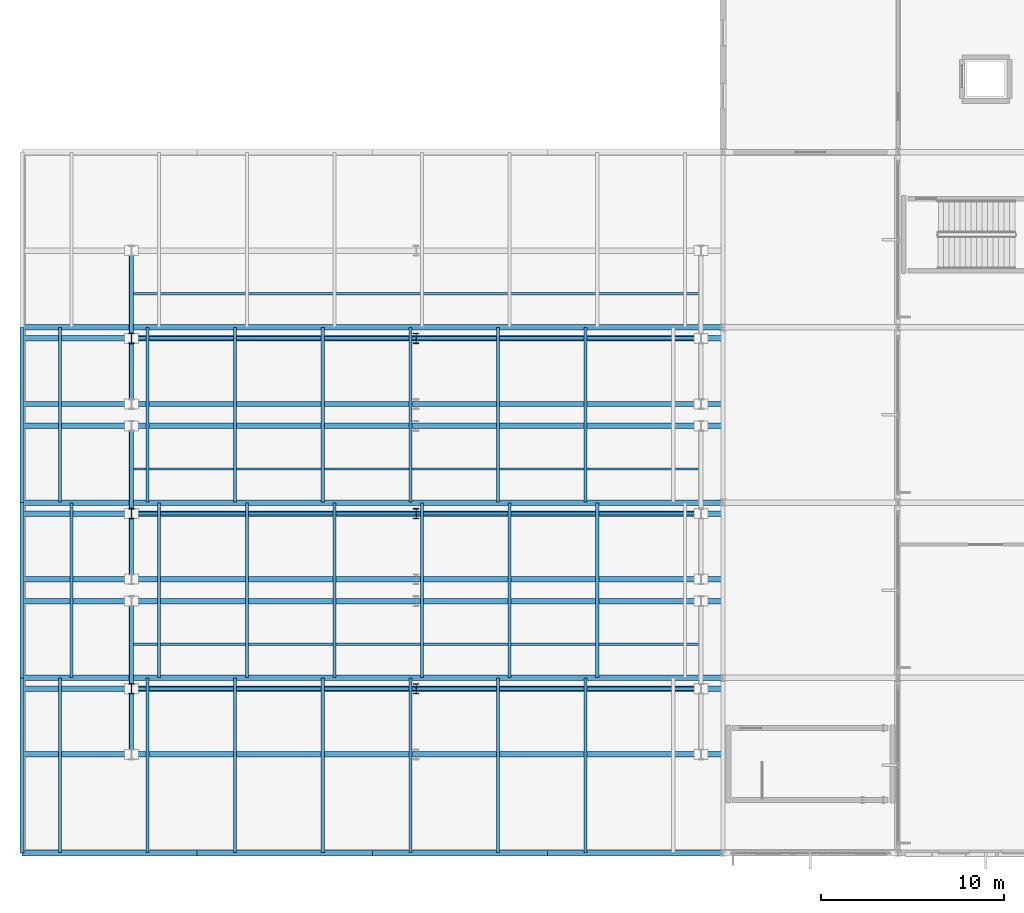
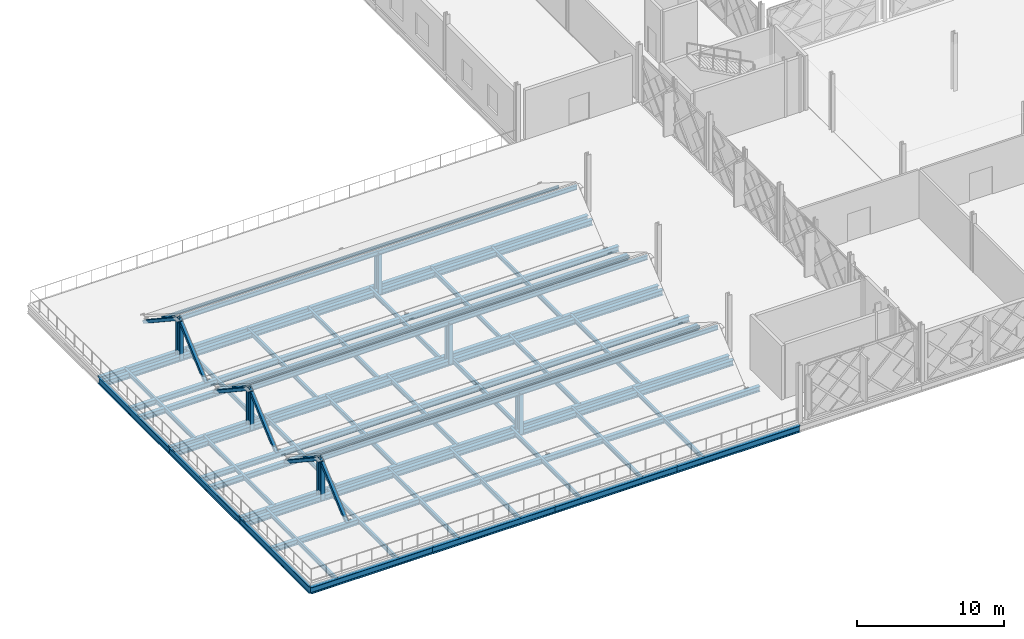
# One storey, part 18 of 77: 45 beams, 12 members.
"""IFC4 building model written with IfcOpenShell, lengths in metres."""

from ifc_helpers import new_model, si_unit, direction, frame, origin, origin_2d, place, context, subcontext, project, spatial, hollow_rectangle, i_section, extrude, material, material_profile, profile_set, type_object, element, save


model = new_model("IFC4")

# Units and contexts
model_context = context("Model", 3, precision=1e-05, world=origin(), true_north=direction((0.0, 1.0)))
body_context = subcontext(model_context, "Body", "Model", "MODEL_VIEW")
ifc_project = project(units=[si_unit("LENGTHUNIT", "METRE"), si_unit("AREAUNIT", "SQUARE_METRE"), si_unit("VOLUMEUNIT", "CUBIC_METRE"), si_unit("PLANEANGLEUNIT", "RADIAN"), si_unit("MASSUNIT", "GRAM", prefix="KILO")], contexts=[model_context])

# Site, building, storey
site_placement = place(None, origin())
site = spatial("IfcSite", under=ifc_project, at=site_placement, CompositionType="ELEMENT")
building_placement = place(site_placement, origin())
building = spatial("IfcBuilding", under=site, at=building_placement, Name="Zevrakil Square Congress Hotel", CompositionType="ELEMENT")
storey_placement = place(building_placement, frame((0.0, 0.0, 9.89990234375)))
storey = spatial("IfcBuildingStorey", under=building, at=storey_placement, Name="L03", CompositionType="ELEMENT", Elevation=9.89990234375)

# Beams
ifc_material_1 = material(Name="Steel S355", Category="steel")
ifc_material_profile_1 = material_profile(ifc_material_1, i_section(OverallWidth=0.300048828125, OverallDepth=0.43994140625, WebThickness=0.011474609375, FlangeThickness=0.02099609375, FilletRadius=0.027099609375, at=origin_2d()), Name="HEA 450")
ifc_profile_set_1 = profile_set([ifc_material_profile_1], Name="Steel S355")
beam_type_1 = type_object("IfcBeamType", Name="BM-HEA450", PredefinedType="BEAM", material=ifc_profile_set_1)
for number, where, z_axis, x_axis, name in (
    (1, (7.199951171875, 12.60009765625, -0.469970703125), (1.0, 0.0, 0.0), (0.0, 1.0, 0.0), "Ballroom sawtooth roof support girder BSE-01"),
    (2, (7.199951171875, 21.0, -0.469970703125), (1.0, 0.0, 0.0), (0.0, 1.0, 0.0), "Ballroom sawtooth roof support girder BSE-02"),
    (3, (7.199951171875, 16.199951171875, -0.469970703125), (1.0, 0.0, 0.0), (0.0, 1.0, 0.0), "Ballroom sawtooth roof support girder BSE-03"),
    (4, (7.199951171875, 22.199951171875, -0.469970703125), (1.0, 0.0, 0.0), (0.0, 1.0, 0.0), "Ballroom sawtooth roof support girder BSE-04"),
    (5, (7.199951171875, 30.60009765625, -0.469970703125), (1.0, 0.0, 0.0), (0.0, 1.0, 0.0), "Ballroom sawtooth roof support girder BSE-05"),
    (6, (7.199951171875, 25.800048828125, -0.469970703125), (1.0, 0.0, 0.0), (0.0, 1.0, 0.0), "Ballroom sawtooth roof support girder BSE-06"),
    (7, (7.199951171875, 31.800048828125, -0.469970703125), (1.0, 0.0, 0.0), (0.0, 1.0, 0.0), "Ballroom sawtooth roof support girder BSE-07"),
    (8, (7.199951171875, 35.39990234375, -0.469970703125), (1.0, 0.0, 0.0), (0.0, 1.0, 0.0), "Ballroom sawtooth roof support girder BSE-09"),
):
    element("IfcBeam", number, at=place(storey_placement, frame(where, z_axis=z_axis, x_axis=x_axis)), inside=storey, type_object=beam_type_1, Name=name, PredefinedType="BEAM", context=body_context, shape_type="SweptSolid", body=[
        extrude(i_section(OverallWidth=0.300048828125, OverallDepth=0.43994140625, WebThickness=0.011474609375, FlangeThickness=0.02099609375, FilletRadius=0.027099609375, at=origin_2d()), origin(), (0.0, 0.0, 1.0), 38.400146484375),
    ])
ifc_material_2 = material(Name="Steel S355", Category="steel")
ifc_material_profile_2 = material_profile(ifc_material_2, i_section(OverallWidth=0.300048828125, OverallDepth=0.5400390625, WebThickness=0.012451171875, FlangeThickness=0.02392578125, FilletRadius=0.027099609375, at=origin_2d()), Name="HEA 550")
ifc_profile_set_2 = profile_set([ifc_material_profile_2], Name="Steel S355")
beam_type_2 = type_object("IfcBeamType", Name="BM-HEA550", PredefinedType="BEAM", material=ifc_profile_set_2)
beam_1_placement = place(storey_placement, frame((7.199951171875, 7.199951171875, -0.52978515625), z_axis=(1.0, 0.0, 0.0), x_axis=(0.0, 1.0, 0.0)))
element("IfcBeam", 9, at=beam_1_placement, inside=storey, type_object=beam_type_2, Name="L03 primary girder BX-0968", PredefinedType="BEAM", context=body_context, shape_type="SweptSolid", body=[
    extrude(i_section(OverallWidth=0.300048828125, OverallDepth=0.5400390625, WebThickness=0.012451171875, FlangeThickness=0.02392578125, FilletRadius=0.027099609375, at=origin_2d()), origin(), (0.0, 0.0, 1.0), 9.60009765625),
])
beam_2_placement = place(storey_placement, frame((16.800048828125, 7.199951171875, -0.52978515625), z_axis=(1.0, 0.0, 0.0), x_axis=(0.0, 1.0, 0.0)))
element("IfcBeam", 10, at=beam_2_placement, inside=storey, type_object=beam_type_2, Name="L03 primary girder BX-0969", PredefinedType="BEAM", context=body_context, shape_type="SweptSolid", body=[
    extrude(i_section(OverallWidth=0.300048828125, OverallDepth=0.5400390625, WebThickness=0.012451171875, FlangeThickness=0.02392578125, FilletRadius=0.027099609375, at=origin_2d()), origin(), (0.0, 0.0, 1.0), 9.599853515625),
])
for number, where, z_axis, x_axis, name in (
    (11, (26.39990234375, 7.199951171875, -0.52978515625), (1.0, 0.0, 0.0), (0.0, 1.0, 0.0), "L03 primary girder BX-0970"),
    (12, (36.0, 7.199951171875, -0.52978515625), (1.0, 0.0, 0.0), (0.0, 1.0, 0.0), "L03 primary girder BX-0971"),
):
    element("IfcBeam", number, at=place(storey_placement, frame(where, z_axis=z_axis, x_axis=x_axis)), inside=storey, type_object=beam_type_2, Name=name, PredefinedType="BEAM", context=body_context, shape_type="SweptSolid", body=[
        extrude(i_section(OverallWidth=0.300048828125, OverallDepth=0.5400390625, WebThickness=0.012451171875, FlangeThickness=0.02392578125, FilletRadius=0.027099609375, at=origin_2d()), origin(), (0.0, 0.0, 1.0), 9.60009765625),
    ])
ifc_material_3 = material(Name="Steel S355", Category="steel")
ifc_material_profile_3 = material_profile(ifc_material_3, i_section(OverallWidth=0.300048828125, OverallDepth=0.64990234375, WebThickness=0.01611328125, FlangeThickness=0.031005859375, FilletRadius=0.027099609375, at=origin_2d()), Name="HEB 650")
ifc_profile_set_3 = profile_set([ifc_material_profile_3], Name="Steel S355")
beam_type_3 = type_object("IfcBeamType", Name="BM-HEB650", PredefinedType="BEAM", material=ifc_profile_set_3)
for number, where, z_axis, x_axis, name in (
    (13, (7.199951171875, 16.800048828125, -0.574951171875), (1.0, 0.0, 0.0), (0.0, 1.0, 0.0), "Ballroom Pratt truss top chord BTC-01"),
    (14, (7.199951171875, 26.39990234375, -0.574951171875), (1.0, 0.0, 0.0), (0.0, 1.0, 0.0), "Ballroom Pratt truss top chord BTC-02"),
    (15, (7.199951171875, 36.0, -0.574951171875), (1.0, 0.0, 0.0), (0.0, 1.0, 0.0), "Ballroom Pratt truss top chord BTC-03"),
):
    element("IfcBeam", number, at=place(storey_placement, frame(where, z_axis=z_axis, x_axis=x_axis)), inside=storey, type_object=beam_type_3, Name=name, PredefinedType="BEAM", context=body_context, shape_type="SweptSolid", body=[
        extrude(i_section(OverallWidth=0.300048828125, OverallDepth=0.64990234375, WebThickness=0.01611328125, FlangeThickness=0.031005859375, FilletRadius=0.027099609375, at=origin_2d()), origin(), (0.0, 0.0, 1.0), 38.400146484375),
    ])
ifc_material_4 = material(Name="Steel S355", Category="steel")
ifc_material_profile_4 = material_profile(ifc_material_4, i_section(OverallWidth=0.2099609375, OverallDepth=0.550048828125, WebThickness=0.010986328125, FlangeThickness=0.01708984375, FilletRadius=0.02392578125, at=origin_2d()), Name="IPE 550")
ifc_profile_set_4 = profile_set([ifc_material_profile_4], Name="Steel S355")
beam_type_4 = type_object("IfcBeamType", Name="BM-IPE550", PredefinedType="BEAM", material=ifc_profile_set_4)
beam_3_placement = place(storey_placement, frame((7.199951171875, 7.199951171875, -0.534912109375), z_axis=(0.0, 1.0, 0.0), x_axis=(-1.0, 0.0, 0.0)))
element("IfcBeam", 16, at=beam_3_placement, inside=storey, type_object=beam_type_4, Name="L03 primary girder BY-1085", PredefinedType="BEAM", context=body_context, shape_type="SweptSolid", body=[
    extrude(i_section(OverallWidth=0.2099609375, OverallDepth=0.550048828125, WebThickness=0.010986328125, FlangeThickness=0.01708984375, FilletRadius=0.02392578125, at=origin_2d()), origin(), (0.0, 0.0, 1.0), 9.60009765625),
])
beam_4_placement = place(storey_placement, frame((7.199951171875, 16.800048828125, -0.534912109375), z_axis=(0.0, 1.0, 0.0), x_axis=(-1.0, 0.0, 0.0)))
element("IfcBeam", 17, at=beam_4_placement, inside=storey, type_object=beam_type_4, Name="L03 primary girder BY-1086", PredefinedType="BEAM", context=body_context, shape_type="SweptSolid", body=[
    extrude(i_section(OverallWidth=0.2099609375, OverallDepth=0.550048828125, WebThickness=0.010986328125, FlangeThickness=0.01708984375, FilletRadius=0.02392578125, at=origin_2d()), origin(), (0.0, 0.0, 1.0), 9.599853515625),
])
beam_5_placement = place(storey_placement, frame((7.199951171875, 26.39990234375, -0.534912109375), z_axis=(0.0, 1.0, 0.0), x_axis=(-1.0, 0.0, 0.0)))
element("IfcBeam", 18, at=beam_5_placement, inside=storey, type_object=beam_type_4, Name="L03 primary girder BY-1087", PredefinedType="BEAM", context=body_context, shape_type="SweptSolid", body=[
    extrude(i_section(OverallWidth=0.2099609375, OverallDepth=0.550048828125, WebThickness=0.010986328125, FlangeThickness=0.01708984375, FilletRadius=0.02392578125, at=origin_2d()), origin(), (0.0, 0.0, 1.0), 9.60009765625),
])
ifc_material_5 = material(Name="Steel S355", Category="steel")
ifc_material_profile_5 = material_profile(ifc_material_5, i_section(OverallWidth=0.1201171875, OverallDepth=0.239990234375, WebThickness=0.006103515625, FlangeThickness=0.009765625, FilletRadius=0.014892578125, at=origin_2d()), Name="IPE 240")
ifc_profile_set_5 = profile_set([ifc_material_profile_5], Name="Steel S355")
beam_type_5 = type_object("IfcBeamType", Name="JST-IPE240", PredefinedType="JOIST", material=ifc_profile_set_5)
for number, where, z_axis, x_axis, name in (
    (19, (13.199951171875, 18.639892578125, 1.360107421875), (1.0, 0.0, 0.0), (0.0, 1.0, 0.0), "Ballroom sawtooth mid-slope purlin BMP-16"),
    (20, (13.199951171875, 28.239990234375, 1.360107421875), (1.0, 0.0, 0.0), (0.0, 1.0, 0.0), "Ballroom sawtooth mid-slope purlin BMP-25"),
    (21, (13.199951171875, 37.840087890625, 1.360107421875), (1.0, 0.0, 0.0), (0.0, 1.0, 0.0), "Ballroom sawtooth mid-slope purlin BMP-35"),
):
    element("IfcBeam", number, at=place(storey_placement, frame(where, z_axis=z_axis, x_axis=x_axis)), inside=storey, type_object=beam_type_5, Name=name, PredefinedType="JOIST", context=body_context, shape_type="SweptSolid", body=[
        extrude(i_section(OverallWidth=0.1201171875, OverallDepth=0.239990234375, WebThickness=0.006103515625, FlangeThickness=0.009765625, FilletRadius=0.014892578125, at=origin_2d()), origin(), (0.0, 0.0, 1.0), 31.199951171875),
    ])
ifc_material_6 = material(Name="Steel S355", Category="steel")
ifc_material_profile_6 = material_profile(ifc_material_6, i_section(OverallWidth=0.169921875, OverallDepth=0.360107421875, WebThickness=0.008056640625, FlangeThickness=0.0126953125, FilletRadius=0.01806640625, at=origin_2d()), Name="IPE 360")
ifc_profile_set_6 = profile_set([ifc_material_profile_6], Name="Steel S355")
beam_type_6 = type_object("IfcBeamType", Name="JST-IPE360", PredefinedType="JOIST", material=ifc_profile_set_6)
beam_6_placement = place(storey_placement, frame((9.280029296875, 7.219970703125, -0.429931640625), z_axis=(0.0, 1.0, 0.0), x_axis=(-1.0, 0.0, 0.0)))
element("IfcBeam", 22, at=beam_6_placement, inside=storey, type_object=beam_type_6, Name="Ballroom roof garden secondary beam BPR-10", PredefinedType="JOIST", context=body_context, shape_type="SweptSolid", body=[
    extrude(i_section(OverallWidth=0.169921875, OverallDepth=0.360107421875, WebThickness=0.008056640625, FlangeThickness=0.0126953125, FilletRadius=0.01806640625, at=origin_2d()), origin(), (0.0, 0.0, 1.0), 9.56005859375),
])
beam_7_placement = place(storey_placement, frame((9.919921875, 16.820068359375, -0.429931640625), z_axis=(0.0, 1.0, 0.0), x_axis=(-1.0, 0.0, 0.0)))
element("IfcBeam", 23, at=beam_7_placement, inside=storey, type_object=beam_type_6, Name="Ballroom roof garden secondary beam BPR-10", PredefinedType="JOIST", context=body_context, shape_type="SweptSolid", body=[
    extrude(i_section(OverallWidth=0.169921875, OverallDepth=0.360107421875, WebThickness=0.008056640625, FlangeThickness=0.0126953125, FilletRadius=0.01806640625, at=origin_2d()), origin(), (0.0, 0.0, 1.0), 9.559814453125),
])
beam_8_placement = place(storey_placement, frame((14.080078125, 7.219970703125, -0.429931640625), z_axis=(0.0, 1.0, 0.0), x_axis=(-1.0, 0.0, 0.0)))
element("IfcBeam", 24, at=beam_8_placement, inside=storey, type_object=beam_type_6, Name="Ballroom roof garden secondary beam BPR-11", PredefinedType="JOIST", context=body_context, shape_type="SweptSolid", body=[
    extrude(i_section(OverallWidth=0.169921875, OverallDepth=0.360107421875, WebThickness=0.008056640625, FlangeThickness=0.0126953125, FilletRadius=0.01806640625, at=origin_2d()), origin(), (0.0, 0.0, 1.0), 9.56005859375),
])
beam_9_placement = place(storey_placement, frame((14.719970703125, 16.820068359375, -0.429931640625), z_axis=(0.0, 1.0, 0.0), x_axis=(-1.0, 0.0, 0.0)))
element("IfcBeam", 25, at=beam_9_placement, inside=storey, type_object=beam_type_6, Name="Ballroom roof garden secondary beam BPR-11", PredefinedType="JOIST", context=body_context, shape_type="SweptSolid", body=[
    extrude(i_section(OverallWidth=0.169921875, OverallDepth=0.360107421875, WebThickness=0.008056640625, FlangeThickness=0.0126953125, FilletRadius=0.01806640625, at=origin_2d()), origin(), (0.0, 0.0, 1.0), 9.559814453125),
])
beam_10_placement = place(storey_placement, frame((18.8798828125, 7.219970703125, -0.429931640625), z_axis=(0.0, 1.0, 0.0), x_axis=(-1.0, 0.0, 0.0)))
element("IfcBeam", 26, at=beam_10_placement, inside=storey, type_object=beam_type_6, Name="Ballroom roof garden secondary beam BPR-12", PredefinedType="JOIST", context=body_context, shape_type="SweptSolid", body=[
    extrude(i_section(OverallWidth=0.169921875, OverallDepth=0.360107421875, WebThickness=0.008056640625, FlangeThickness=0.0126953125, FilletRadius=0.01806640625, at=origin_2d()), origin(), (0.0, 0.0, 1.0), 9.56005859375),
])
beam_11_placement = place(storey_placement, frame((19.52001953125, 16.820068359375, -0.429931640625), z_axis=(0.0, 1.0, 0.0), x_axis=(-1.0, 0.0, 0.0)))
element("IfcBeam", 27, at=beam_11_placement, inside=storey, type_object=beam_type_6, Name="Ballroom roof garden secondary beam BPR-12", PredefinedType="JOIST", context=body_context, shape_type="SweptSolid", body=[
    extrude(i_section(OverallWidth=0.169921875, OverallDepth=0.360107421875, WebThickness=0.008056640625, FlangeThickness=0.0126953125, FilletRadius=0.01806640625, at=origin_2d()), origin(), (0.0, 0.0, 1.0), 9.559814453125),
])
beam_12_placement = place(storey_placement, frame((23.679931640625, 7.219970703125, -0.429931640625), z_axis=(0.0, 1.0, 0.0), x_axis=(-1.0, 0.0, 0.0)))
element("IfcBeam", 28, at=beam_12_placement, inside=storey, type_object=beam_type_6, Name="Ballroom roof garden secondary beam BPR-13", PredefinedType="JOIST", context=body_context, shape_type="SweptSolid", body=[
    extrude(i_section(OverallWidth=0.169921875, OverallDepth=0.360107421875, WebThickness=0.008056640625, FlangeThickness=0.0126953125, FilletRadius=0.01806640625, at=origin_2d()), origin(), (0.0, 0.0, 1.0), 9.56005859375),
])
beam_13_placement = place(storey_placement, frame((24.320068359375, 16.820068359375, -0.429931640625), z_axis=(0.0, 1.0, 0.0), x_axis=(-1.0, 0.0, 0.0)))
element("IfcBeam", 29, at=beam_13_placement, inside=storey, type_object=beam_type_6, Name="Ballroom roof garden secondary beam BPR-13", PredefinedType="JOIST", context=body_context, shape_type="SweptSolid", body=[
    extrude(i_section(OverallWidth=0.169921875, OverallDepth=0.360107421875, WebThickness=0.008056640625, FlangeThickness=0.0126953125, FilletRadius=0.01806640625, at=origin_2d()), origin(), (0.0, 0.0, 1.0), 9.559814453125),
])
beam_14_placement = place(storey_placement, frame((28.47998046875, 7.219970703125, -0.429931640625), z_axis=(0.0, 1.0, 0.0), x_axis=(-1.0, 0.0, 0.0)))
element("IfcBeam", 30, at=beam_14_placement, inside=storey, type_object=beam_type_6, Name="Ballroom roof garden secondary beam BPR-14", PredefinedType="JOIST", context=body_context, shape_type="SweptSolid", body=[
    extrude(i_section(OverallWidth=0.169921875, OverallDepth=0.360107421875, WebThickness=0.008056640625, FlangeThickness=0.0126953125, FilletRadius=0.01806640625, at=origin_2d()), origin(), (0.0, 0.0, 1.0), 9.56005859375),
])
beam_15_placement = place(storey_placement, frame((29.1201171875, 16.820068359375, -0.429931640625), z_axis=(0.0, 1.0, 0.0), x_axis=(-1.0, 0.0, 0.0)))
element("IfcBeam", 31, at=beam_15_placement, inside=storey, type_object=beam_type_6, Name="Ballroom roof garden secondary beam BPR-14", PredefinedType="JOIST", context=body_context, shape_type="SweptSolid", body=[
    extrude(i_section(OverallWidth=0.169921875, OverallDepth=0.360107421875, WebThickness=0.008056640625, FlangeThickness=0.0126953125, FilletRadius=0.01806640625, at=origin_2d()), origin(), (0.0, 0.0, 1.0), 9.559814453125),
])
beam_16_placement = place(storey_placement, frame((33.280029296875, 7.219970703125, -0.429931640625), z_axis=(0.0, 1.0, 0.0), x_axis=(-1.0, 0.0, 0.0)))
element("IfcBeam", 32, at=beam_16_placement, inside=storey, type_object=beam_type_6, Name="Ballroom roof garden secondary beam BPR-15", PredefinedType="JOIST", context=body_context, shape_type="SweptSolid", body=[
    extrude(i_section(OverallWidth=0.169921875, OverallDepth=0.360107421875, WebThickness=0.008056640625, FlangeThickness=0.0126953125, FilletRadius=0.01806640625, at=origin_2d()), origin(), (0.0, 0.0, 1.0), 9.56005859375),
])
beam_17_placement = place(storey_placement, frame((33.919921875, 16.820068359375, -0.429931640625), z_axis=(0.0, 1.0, 0.0), x_axis=(-1.0, 0.0, 0.0)))
element("IfcBeam", 33, at=beam_17_placement, inside=storey, type_object=beam_type_6, Name="Ballroom roof garden secondary beam BPR-15", PredefinedType="JOIST", context=body_context, shape_type="SweptSolid", body=[
    extrude(i_section(OverallWidth=0.169921875, OverallDepth=0.360107421875, WebThickness=0.008056640625, FlangeThickness=0.0126953125, FilletRadius=0.01806640625, at=origin_2d()), origin(), (0.0, 0.0, 1.0), 9.559814453125),
])
beam_18_placement = place(storey_placement, frame((38.080078125, 7.219970703125, -0.429931640625), z_axis=(0.0, 1.0, 0.0), x_axis=(-1.0, 0.0, 0.0)))
element("IfcBeam", 34, at=beam_18_placement, inside=storey, type_object=beam_type_6, Name="Ballroom roof garden secondary beam BPR-16", PredefinedType="JOIST", context=body_context, shape_type="SweptSolid", body=[
    extrude(i_section(OverallWidth=0.169921875, OverallDepth=0.360107421875, WebThickness=0.008056640625, FlangeThickness=0.0126953125, FilletRadius=0.01806640625, at=origin_2d()), origin(), (0.0, 0.0, 1.0), 9.56005859375),
])
beam_19_placement = place(storey_placement, frame((38.719970703125, 16.820068359375, -0.429931640625), z_axis=(0.0, 1.0, 0.0), x_axis=(-1.0, 0.0, 0.0)))
element("IfcBeam", 35, at=beam_19_placement, inside=storey, type_object=beam_type_6, Name="Ballroom roof garden secondary beam BPR-16", PredefinedType="JOIST", context=body_context, shape_type="SweptSolid", body=[
    extrude(i_section(OverallWidth=0.169921875, OverallDepth=0.360107421875, WebThickness=0.008056640625, FlangeThickness=0.0126953125, FilletRadius=0.01806640625, at=origin_2d()), origin(), (0.0, 0.0, 1.0), 9.559814453125),
])
for number, where, z_axis, x_axis, name in (
    (36, (9.280029296875, 26.419921875, -0.429931640625), (0.0, 1.0, 0.0), (-1.0, 0.0, 0.0), "Ballroom roof garden secondary beam BPR-30"),
    (37, (14.080078125, 26.419921875, -0.429931640625), (0.0, 1.0, 0.0), (-1.0, 0.0, 0.0), "Ballroom roof garden secondary beam BPR-31"),
    (38, (18.8798828125, 26.419921875, -0.429931640625), (0.0, 1.0, 0.0), (-1.0, 0.0, 0.0), "Ballroom roof garden secondary beam BPR-32"),
    (39, (23.679931640625, 26.419921875, -0.429931640625), (0.0, 1.0, 0.0), (-1.0, 0.0, 0.0), "Ballroom roof garden secondary beam BPR-33"),
    (40, (28.47998046875, 26.419921875, -0.429931640625), (0.0, 1.0, 0.0), (-1.0, 0.0, 0.0), "Ballroom roof garden secondary beam BPR-34"),
    (41, (33.280029296875, 26.419921875, -0.429931640625), (0.0, 1.0, 0.0), (-1.0, 0.0, 0.0), "Ballroom roof garden secondary beam BPR-35"),
    (42, (38.080078125, 26.419921875, -0.429931640625), (0.0, 1.0, 0.0), (-1.0, 0.0, 0.0), "Ballroom roof garden secondary beam BPR-36"),
):
    element("IfcBeam", number, at=place(storey_placement, frame(where, z_axis=z_axis, x_axis=x_axis)), inside=storey, type_object=beam_type_6, Name=name, PredefinedType="JOIST", context=body_context, shape_type="SweptSolid", body=[
        extrude(i_section(OverallWidth=0.169921875, OverallDepth=0.360107421875, WebThickness=0.008056640625, FlangeThickness=0.0126953125, FilletRadius=0.01806640625, at=origin_2d()), origin(), (0.0, 0.0, 1.0), 9.56005859375),
    ])
for number, where, z_axis, x_axis, name in (
    (43, (13.199951171875, 16.199951171875, 2.820068359375), (1.0, 0.0, 0.0), (0.0, 1.0, 0.0), "Ballroom sawtooth ridge beam BRG-16"),
    (44, (13.199951171875, 25.800048828125, 2.820068359375), (1.0, 0.0, 0.0), (0.0, 1.0, 0.0), "Ballroom sawtooth ridge beam BRG-25"),
    (45, (13.199951171875, 35.39990234375, 2.820068359375), (1.0, 0.0, 0.0), (0.0, 1.0, 0.0), "Ballroom sawtooth ridge beam BRG-35"),
):
    element("IfcBeam", number, at=place(storey_placement, frame(where, z_axis=z_axis, x_axis=x_axis)), inside=storey, type_object=beam_type_6, Name=name, PredefinedType="JOIST", context=body_context, shape_type="SweptSolid", body=[
        extrude(i_section(OverallWidth=0.169921875, OverallDepth=0.360107421875, WebThickness=0.008056640625, FlangeThickness=0.0126953125, FilletRadius=0.01806640625, at=origin_2d()), origin(), (0.0, 0.0, 1.0), 31.199951171875),
    ])

# Members
ifc_material_7 = material(Name="Steel S355", Category="steel")
ifc_material_profile_7 = material_profile(ifc_material_7, hollow_rectangle(XDim=0.25, YDim=0.25, WallThickness=0.012451171875, InnerFilletRadius=0.012451171875, OuterFilletRadius=0.02490234375, at=origin_2d()), Name="SHS 250x250x12.5")
ifc_profile_set_7 = profile_set([ifc_material_profile_7], Name="Steel S355")
member_type_1 = type_object("IfcMemberType", Name="MEM-BRACE-SHS250", PredefinedType="BRACE", material=ifc_profile_set_7)
member_1_placement = place(storey_placement, frame((13.199951171875, 12.60009765625, -0.349853515625), z_axis=(0.0, 0.750501438553, 0.660868815068), x_axis=(-1.0, 0.0, 0.0)))
element("IfcMember", 46, at=member_1_placement, inside=storey, type_object=member_type_1, Name="Ballroom sawtooth roof gable chord BGF-01", PredefinedType="BRACE", context=body_context, shape_type="SweptSolid", body=[
    extrude(hollow_rectangle(XDim=0.25, YDim=0.25, WallThickness=0.012451171875, InnerFilletRadius=0.012451171875, OuterFilletRadius=0.02490234375, at=origin_2d()), origin(), (0.0, 0.0, 1.0), 4.796630859375),
])
member_2_placement = place(storey_placement, frame((13.199951171875, 21.0, -0.349853515625), z_axis=(0.0, -0.834458349614, 0.551071014261), x_axis=(1.0, 0.0, 0.0)))
element("IfcMember", 47, at=member_2_placement, inside=storey, type_object=member_type_1, Name="Ballroom sawtooth roof gable chord BGF-02", PredefinedType="BRACE", context=body_context, shape_type="SweptSolid", body=[
    extrude(hollow_rectangle(XDim=0.25, YDim=0.25, WallThickness=0.012451171875, InnerFilletRadius=0.012451171875, OuterFilletRadius=0.02490234375, at=origin_2d()), origin(), (0.0, 0.0, 1.0), 5.752197265625),
])
member_3_placement = place(storey_placement, frame((13.199951171875, 22.199951171875, -0.349853515625), z_axis=(0.0, 0.750523667167, 0.660843570765), x_axis=(-1.0, 0.0, 0.0)))
element("IfcMember", 48, at=member_3_placement, inside=storey, type_object=member_type_1, Name="Ballroom sawtooth roof gable chord BGF-05", PredefinedType="BRACE", context=body_context, shape_type="SweptSolid", body=[
    extrude(hollow_rectangle(XDim=0.25, YDim=0.25, WallThickness=0.012451171875, InnerFilletRadius=0.012451171875, OuterFilletRadius=0.02490234375, at=origin_2d()), origin(), (0.0, 0.0, 1.0), 4.796875),
])
member_4_placement = place(storey_placement, frame((13.199951171875, 30.60009765625, -0.349853515625), z_axis=(0.0, -0.834458349614, 0.551071014261), x_axis=(1.0, 0.0, 0.0)))
element("IfcMember", 49, at=member_4_placement, inside=storey, type_object=member_type_1, Name="Ballroom sawtooth roof gable chord BGF-06", PredefinedType="BRACE", context=body_context, shape_type="SweptSolid", body=[
    extrude(hollow_rectangle(XDim=0.25, YDim=0.25, WallThickness=0.012451171875, InnerFilletRadius=0.012451171875, OuterFilletRadius=0.02490234375, at=origin_2d()), origin(), (0.0, 0.0, 1.0), 5.752197265625),
])
member_5_placement = place(storey_placement, frame((13.199951171875, 31.800048828125, -0.349853515625), z_axis=(0.0, 0.750501438553, 0.660868815068), x_axis=(-1.0, 0.0, 0.0)))
element("IfcMember", 50, at=member_5_placement, inside=storey, type_object=member_type_1, Name="Ballroom sawtooth roof gable chord BGF-09", PredefinedType="BRACE", context=body_context, shape_type="SweptSolid", body=[
    extrude(hollow_rectangle(XDim=0.25, YDim=0.25, WallThickness=0.012451171875, InnerFilletRadius=0.012451171875, OuterFilletRadius=0.02490234375, at=origin_2d()), origin(), (0.0, 0.0, 1.0), 4.796630859375),
])
member_6_placement = place(storey_placement, frame((13.199951171875, 40.199951171875, -0.349853515625), z_axis=(0.0, -0.834458349614, 0.551071014261), x_axis=(1.0, 0.0, 0.0)))
element("IfcMember", 51, at=member_6_placement, inside=storey, type_object=member_type_1, Name="Ballroom sawtooth roof gable chord BGF-10", PredefinedType="BRACE", context=body_context, shape_type="SweptSolid", body=[
    extrude(hollow_rectangle(XDim=0.25, YDim=0.25, WallThickness=0.012451171875, InnerFilletRadius=0.012451171875, OuterFilletRadius=0.02490234375, at=origin_2d()), origin(), (0.0, 0.0, 1.0), 5.752197265625),
])
ifc_material_8 = material(Name="Steel S355", Category="steel")
ifc_material_profile_8 = material_profile(ifc_material_8, i_section(OverallWidth=0.305908203125, OverallDepth=0.572021484375, WebThickness=0.02099609375, FlangeThickness=0.0400390625, FilletRadius=0.027099609375, at=origin_2d()), Name="HEM 550")
ifc_profile_set_8 = profile_set([ifc_material_profile_8], Name="Steel S355")
member_type_2 = type_object("IfcMemberType", Name="MEM-CHORD-HEM550", PredefinedType="CHORD", material=ifc_profile_set_8)
for number, where, z_axis, x_axis, name in (
    (52, (13.199951171875, 16.199951171875, -0.469970703125), (0.0, 0.0, 1.0), (1.0, 0.0, 0.0), "Ballroom sawtooth ridge post BSR-16W"),
    (53, (28.800048828125, 16.199951171875, -0.469970703125), (0.0, 0.0, 1.0), (1.0, 0.0, 0.0), "Ballroom sawtooth ridge post BSR-16M"),
    (54, (13.199951171875, 25.800048828125, -0.469970703125), (0.0, 0.0, 1.0), (1.0, 0.0, 0.0), "Ballroom sawtooth ridge post BSR-25W"),
    (55, (28.800048828125, 25.800048828125, -0.469970703125), (0.0, 0.0, 1.0), (1.0, 0.0, 0.0), "Ballroom sawtooth ridge post BSR-25M"),
    (56, (13.199951171875, 35.39990234375, -0.469970703125), (0.0, 0.0, 1.0), (1.0, 0.0, 0.0), "Ballroom sawtooth ridge post BSR-35W"),
    (57, (28.800048828125, 35.39990234375, -0.469970703125), (0.0, 0.0, 1.0), (1.0, 0.0, 0.0), "Ballroom sawtooth ridge post BSR-35M"),
):
    element("IfcMember", number, at=place(storey_placement, frame(where, z_axis=z_axis, x_axis=x_axis)), inside=storey, type_object=member_type_2, Name=name, PredefinedType="CHORD", context=body_context, shape_type="SweptSolid", body=[
        extrude(i_section(OverallWidth=0.305908203125, OverallDepth=0.572021484375, WebThickness=0.02099609375, FlangeThickness=0.0400390625, FilletRadius=0.027099609375, at=origin_2d()), origin(), (0.0, 0.0, 1.0), 3.2900390625),
    ])

save(model, "model.ifc")
